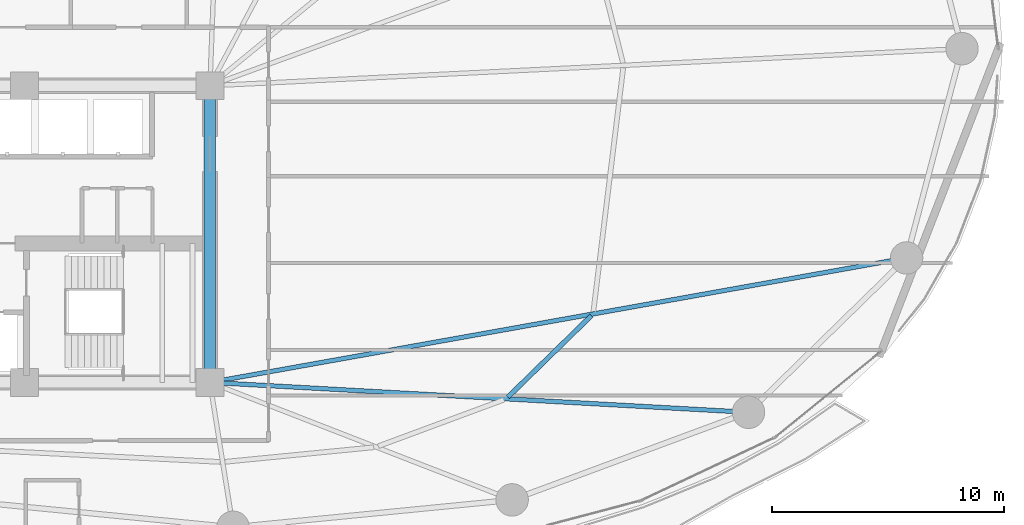
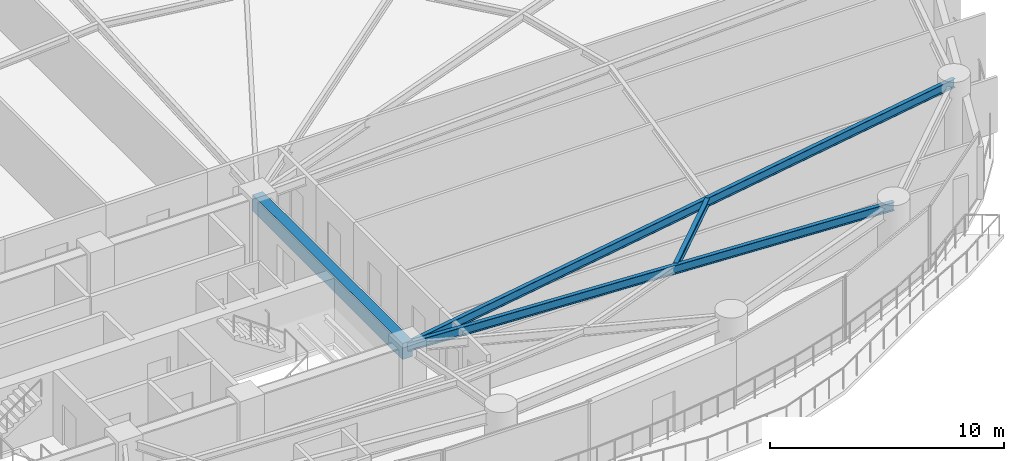
# One storey, part 13 of 30: 4 beams.
"""IFC4 building model written with IfcOpenShell, lengths in metres."""

from ifc_helpers import new_model, si_unit, direction, frame, origin, origin_2d, place, context, subcontext, project, spatial, rectangle, i_section, extrude, material, material_profile, profile_set, type_object, element, save


model = new_model("IFC4")

# Units and contexts
model_context = context("Model", 3, precision=1e-05, world=origin(), true_north=direction((0.0, 1.0)))
body_context = subcontext(model_context, "Body", "Model", "MODEL_VIEW")
ifc_project = project(units=[si_unit("LENGTHUNIT", "METRE"), si_unit("AREAUNIT", "SQUARE_METRE"), si_unit("VOLUMEUNIT", "CUBIC_METRE"), si_unit("PLANEANGLEUNIT", "RADIAN"), si_unit("MASSUNIT", "GRAM", prefix="KILO")], contexts=[model_context])

# Site, building, storey
site_placement = place(None, origin())
site = spatial("IfcSite", under=ifc_project, at=site_placement, CompositionType="ELEMENT")
building_placement = place(site_placement, origin())
building = spatial("IfcBuilding", under=site, at=building_placement, Name="Kazevale Care Tower and Concert Hall", CompositionType="ELEMENT")
storey_placement = place(building_placement, frame((0.0, 0.0, 74.39990234375)))
storey = spatial("IfcBuildingStorey", under=building, at=storey_placement, Name="L19", CompositionType="ELEMENT", Elevation=74.39990234375)

# Beams
ifc_material_1 = material(Name="Concrete C60", Category="concrete")
ifc_material_profile_1 = material_profile(ifc_material_1, rectangle(XDim=0.5, YDim=0.85009765625, at=origin_2d()), Name="RC-B500x850")
ifc_profile_set_1 = profile_set([ifc_material_profile_1], Name="Concrete C60")
beam_type_1 = type_object("IfcBeamType", Name="Core Coupling Beam RC500x850", PredefinedType="LINTEL", material=ifc_profile_set_1)
beam_1_placement = place(storey_placement, frame((44.0, 23.60009765625, 2.93505859375), z_axis=(0.0, 1.0, 0.0), x_axis=(-1.0, 0.0, 0.0)))
element("IfcBeam", 1, at=beam_1_placement, inside=storey, type_object=beam_type_1, Name="beam:L19:coretie:4", PredefinedType="LINTEL", context=body_context, shape_type="SweptSolid", body=[
    extrude(rectangle(XDim=0.5, YDim=0.85009765625, at=origin_2d()), origin(), (0.0, 0.0, 1.0), 12.7998046875),
])
ifc_material_2 = material(Name="Steel ASTM A572 Gr 50", Category="steel")
ifc_material_profile_2 = material_profile(ifc_material_2, i_section(OverallWidth=0.19091796875, OverallDepth=0.4599609375, WebThickness=0.010009765625, FlangeThickness=0.01611328125, at=origin_2d()), Name="W460x82")
ifc_profile_set_2 = profile_set([ifc_material_profile_2], Name="Steel ASTM A572 Gr 50")
beam_type_2 = type_object("IfcBeamType", Name="Radial Floor Beam W460x82", PredefinedType="BEAM", material=ifc_profile_set_2)
beam_2_placement = place(storey_placement, frame((44.0, 23.60009765625, 3.130126953125), z_axis=(0.998462901796, -0.055424125948, 0.0), x_axis=(0.055424125948, 0.998462901796, 0.0)))
element("IfcBeam", 2, at=beam_2_placement, inside=storey, type_object=beam_type_2, Name="beam:L19:rad:15", PredefinedType="BEAM", context=body_context, shape_type="SweptSolid", body=[
    extrude(i_section(OverallWidth=0.19091796875, OverallDepth=0.4599609375, WebThickness=0.010009765625, FlangeThickness=0.01611328125, at=origin_2d()), origin(), (0.0, 0.0, 1.0), 23.27587890625),
])
beam_3_placement = place(storey_placement, frame((44.0, 23.60009765625, 3.130126953125), z_axis=(0.984416208219, 0.175854283415, 0.0), x_axis=(-0.175854283415, 0.984416208219, 0.0)))
element("IfcBeam", 3, at=beam_3_placement, inside=storey, type_object=beam_type_2, Name="beam:L19:rad:16", PredefinedType="BEAM", context=body_context, shape_type="SweptSolid", body=[
    extrude(i_section(OverallWidth=0.19091796875, OverallDepth=0.4599609375, WebThickness=0.010009765625, FlangeThickness=0.01611328125, at=origin_2d()), origin(), (0.0, 0.0, 1.0), 30.535888671875),
])
ifc_material_profile_3 = material_profile(ifc_material_2, i_section(OverallWidth=0.205078125, OverallDepth=0.35400390625, WebThickness=0.009521484375, FlangeThickness=0.016845703125, at=origin_2d()), Name="W360x79")
ifc_profile_set_3 = profile_set([ifc_material_profile_3], Name="Steel ASTM A572 Gr 50")
beam_type_3 = type_object("IfcBeamType", Name="Secondary Floor Joist W360x79", PredefinedType="JOIST", material=ifc_profile_set_3)
beam_4_placement = place(storey_placement, frame((56.85693359375, 22.964111328125, 3.18310546875), z_axis=(0.715521089339, 0.698591132717, 0.0), x_axis=(-0.698591132717, 0.715521089339, 0.0)))
element("IfcBeam", 4, at=beam_4_placement, inside=storey, type_object=beam_type_3, Name="beam:L19:joist:15", PredefinedType="JOIST", context=body_context, shape_type="SweptSolid", body=[
    extrude(i_section(OverallWidth=0.205078125, OverallDepth=0.35400390625, WebThickness=0.009521484375, FlangeThickness=0.016845703125, at=origin_2d()), origin(), (0.0, 0.0, 1.0), 5.03271484375),
])

save(model, "model.ifc")
